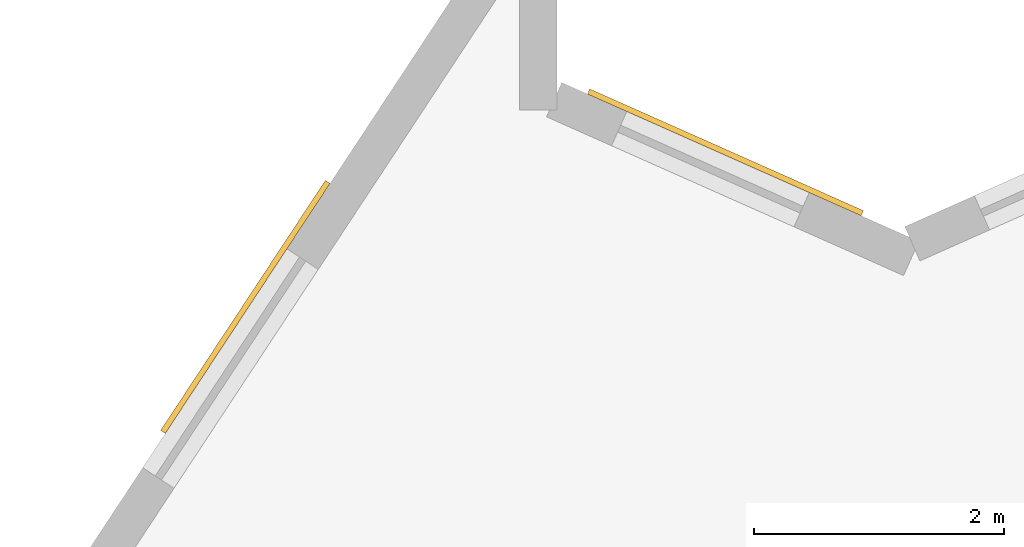
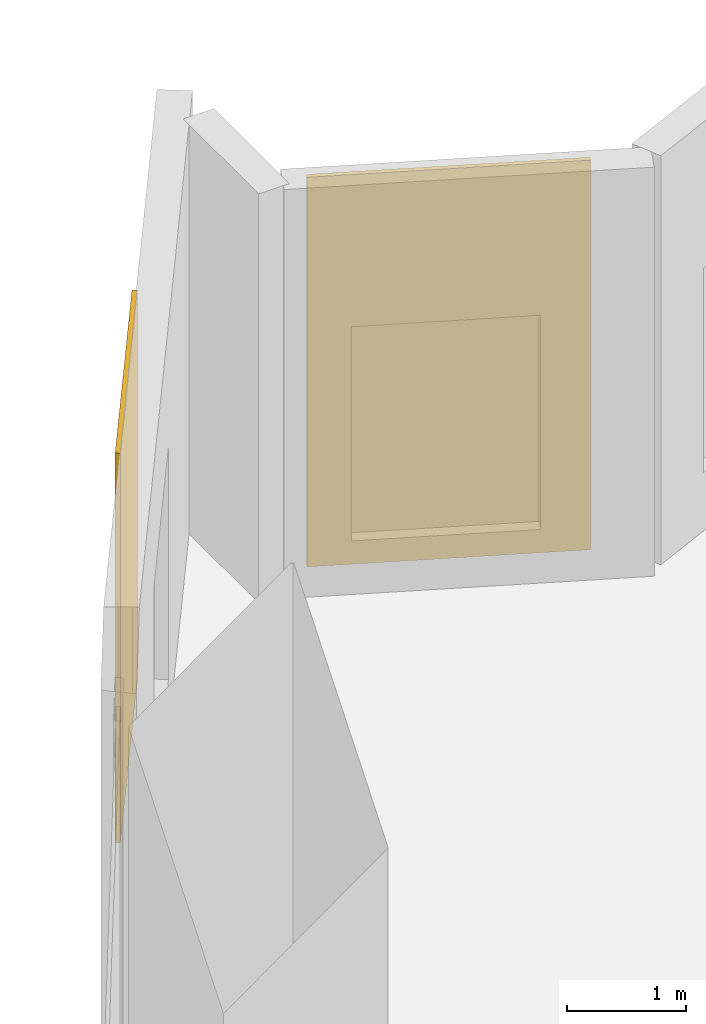
# One storey, part 11 of 11: 2 coverings.
"""IFC4 building model written with IfcOpenShell, lengths in metres."""

import ifcopenshell
import ifcopenshell.guid

model = None  # the IFC model being written
_history = None  # IfcOwnerHistory: only IFC2X3 demands one
_inside = {}  # id of a spatial element -> (the spatial element, [elements in it])
_under = {}  # id of a project, library or spatial element -> (it, [spatial elements below it])
_declared = {}  # id of a project -> (the project, [libraries it declares])
_typed = {}  # id of a type object -> (the type object, [elements of that type])
_made_of = {}  # id of a material, layer set ... -> (it, [elements and type objects made of it])


def new_model(schema):
    """Start an empty IFC model of exactly this schema.

    Asked for "IFC4X3", IfcOpenShell would pick the latest addendum, in which some entities
    have other attributes; the version numbers below select the first issue.
    IFC2X3 requires an IfcOwnerHistory on every rooted entity: one is made here for all.
    """
    global model, _history
    if schema == "IFC4X3":
        model = ifcopenshell.file(schema_version=(4, 3, 0, 0))
    else:
        model = ifcopenshell.file(schema=schema)
    _inside.clear()
    _under.clear()
    _declared.clear()
    _typed.clear()
    _made_of.clear()
    _history = None
    if model.schema == "IFC2X3":
        org = make("IfcOrganization", Name="unknown")
        user = make(
            "IfcPersonAndOrganization",
            ThePerson=make("IfcPerson", FamilyName="unknown"),
            TheOrganization=org,
        )
        app = make(
            "IfcApplication",
            ApplicationDeveloper=org,
            Version="unknown",
            ApplicationFullName="unknown",
            ApplicationIdentifier="unknown",
        )
        _history = make(
            "IfcOwnerHistory",
            OwningUser=user,
            OwningApplication=app,
            ChangeAction="ADDED",
            CreationDate=0,
        )
    return model


def make(cls, **values):
    """One entity of the class cls with the attributes given. An attribute that is None is left unset."""
    return model.create_entity(
        cls, **{name: value for name, value in values.items() if value is not None}
    )


def rooted(cls, **values):
    """An entity with a GlobalId (a new one), such as an element, a storey or a relation."""
    return make(cls, GlobalId=ifcopenshell.guid.new(), OwnerHistory=_history, **values)


def si_unit(unit_type, name, prefix=None):
    """IfcSIUnit, for example si_unit("LENGTHUNIT", "METRE", prefix="MILLI")."""
    return make("IfcSIUnit", UnitType=unit_type, Prefix=prefix, Name=name)


def assignment(units):
    """IfcUnitAssignment: the units of a project."""
    return None if units is None else make("IfcUnitAssignment", Units=units)


def point(xyz):
    """IfcCartesianPoint."""
    return None if xyz is None else make("IfcCartesianPoint", Coordinates=xyz)


def direction(xyz):
    """IfcDirection."""
    return None if xyz is None else make("IfcDirection", DirectionRatios=xyz)


def frame(location, z_axis=None, x_axis=None):
    """IfcAxis2Placement3D, a coordinate frame: its origin and axes. An axis left out is left unset."""
    return make(
        "IfcAxis2Placement3D",
        Location=point(location),
        Axis=direction(z_axis),
        RefDirection=direction(x_axis),
    )


def frame_2d(location, x_axis=None):
    """IfcAxis2Placement2D, a coordinate frame in the plane: its origin and x axis."""
    return make(
        "IfcAxis2Placement2D", Location=point(location), RefDirection=direction(x_axis)
    )


def origin():
    """The frame at (0, 0, 0) with its axes left unset."""
    return frame((0.0, 0.0, 0.0))


def origin_2d():
    """The frame at (0, 0) in the plane with its x axis left unset."""
    return frame_2d((0.0, 0.0))


def place(relative_to, where):
    """IfcLocalPlacement: puts the frame where relative to a parent placement (None: the world)."""
    return make(
        "IfcLocalPlacement", PlacementRelTo=relative_to, RelativePlacement=where
    )


def context(
    kind, dimensions, precision=None, world=None, true_north=None, identifier=None
):
    """IfcGeometricRepresentationContext, for example the 3D "Model" context."""
    return make(
        "IfcGeometricRepresentationContext",
        ContextIdentifier=identifier,
        ContextType=kind,
        CoordinateSpaceDimension=dimensions,
        Precision=precision,
        WorldCoordinateSystem=world,
        TrueNorth=true_north,
    )


def subcontext(parent, identifier, kind, view, scale=None):
    """IfcGeometricRepresentationSubContext, for example "Body" below "Model"."""
    return make(
        "IfcGeometricRepresentationSubContext",
        ContextIdentifier=identifier,
        ContextType=kind,
        ParentContext=parent,
        TargetScale=scale,
        TargetView=view,
    )


def project(units=None, contexts=None):
    """IfcProject with its units and contexts."""
    return rooted(
        "IfcProject",
        Name="project",
        RepresentationContexts=contexts,
        UnitsInContext=assignment(units),
    )


def spatial(cls, under=None, at=None, **own):
    """A site, building, storey or space (cls), placed at a placement, below another one or the project."""
    s = rooted(cls, ObjectPlacement=at, **own)
    if under is not None:
        _under.setdefault(under.id(), (under, []))[1].append(s)
    return s


def profile(cls, at=None, kind="AREA", **sizes):
    """A parametric profile (cls). Its sizes go by their IFC names, for example OverallWidth=200.0."""
    return make(cls, ProfileType=kind, Position=at, **sizes)


def rectangle(**sizes):
    """IfcRectangleProfileDef."""
    return profile("IfcRectangleProfileDef", **sizes)


def extrude(swept, where, along, depth):
    """IfcExtrudedAreaSolid: the profile swept, set in the frame where, extruded along a direction by depth."""
    return make(
        "IfcExtrudedAreaSolid",
        SweptArea=swept,
        Position=where,
        ExtrudedDirection=direction(along),
        Depth=depth,
    )


def shape(context_of_items, identifier, shape_type, items):
    """IfcShapeRepresentation: the items that make up one representation, for example the "Body"."""
    return make(
        "IfcShapeRepresentation",
        ContextOfItems=context_of_items,
        RepresentationIdentifier=identifier,
        RepresentationType=shape_type,
        Items=items,
    )


def material(Name=None, Category=None):
    """IfcMaterial."""
    return make("IfcMaterial", Name=Name, Category=Category)


def layer(
    of_material, thickness, ventilated=None, Name=None, Category=None, Priority=None
):
    """IfcMaterialLayer: one layer of a wall or slab, of a material (None: an air gap)."""
    return make(
        "IfcMaterialLayer",
        Material=of_material,
        LayerThickness=thickness,
        IsVentilated=ventilated,
        Name=Name,
        Category=Category,
        Priority=Priority,
    )


def layer_set(layers, Name=None):
    """IfcMaterialLayerSet."""
    return make("IfcMaterialLayerSet", MaterialLayers=layers, LayerSetName=Name)


def made_of(thing, what):
    """Note that an element or type object is made of a material, layer set ...; save() writes the relation."""
    if what is not None:
        _made_of.setdefault(what.id(), (what, []))[1].append(thing)
    return thing


def type_object(cls, material=None, **own):
    """A type object (cls), such as IfcWallType, which elements share."""
    return made_of(rooted(cls, **own), material)


def element(
    cls,
    number,
    at=None,
    inside=None,
    cuts=None,
    type_object=None,
    material=None,
    context=None,
    identifier="Body",
    shape_type=None,
    held_by="IfcProductDefinitionShape",
    body=None,
    shapes=None,
    **own,
):
    """One element of the class cls, such as IfcWall. Its Tag is "e" and its number.

    at: its placement. inside: the storey or other place that contains it. cuts: it is an
    opening in that element (IfcRelVoidsElement). A single representation is given by context,
    identifier, shape_type and body (its items); several are given by shapes. held_by: the class
    of the entity that holds the representations. save() writes the other relations.
    """
    e = rooted(cls, Tag="e%d" % number, ObjectPlacement=at, **own)
    if body is not None:
        shapes = [shape(context, identifier, shape_type, body)]
    if shapes is not None:
        e.Representation = make(held_by, Representations=shapes)
    if inside is not None:
        _inside.setdefault(inside.id(), (inside, []))[1].append(e)
    if cuts is not None:
        rooted(
            "IfcRelVoidsElement", RelatingBuildingElement=cuts, RelatedOpeningElement=e
        )
    if type_object is not None:
        _typed.setdefault(type_object.id(), (type_object, []))[1].append(e)
    return made_of(e, material)


def aggregate(whole, parts):
    """IfcRelAggregates: a whole, such as a stair, and the parts it consists of."""
    return rooted("IfcRelAggregates", RelatingObject=whole, RelatedObjects=parts)


def save(model, path):
    """Write the relations noted so far, then the file.

    IfcRelAggregates (storeys below a building ...), IfcRelContainedInSpatialStructure (elements
    in a storey), IfcRelDefinesByType, IfcRelAssociatesMaterial and IfcRelDeclares: one each for
    every whole, place, type object, material and project.
    """
    for whole, parts in _under.values():
        aggregate(whole, parts)
    for where, things in _inside.values():
        rooted(
            "IfcRelContainedInSpatialStructure",
            RelatedElements=things,
            RelatingStructure=where,
        )
    for kind, things in _typed.values():
        rooted("IfcRelDefinesByType", RelatedObjects=things, RelatingType=kind)
    for what, things in _made_of.values():
        rooted("IfcRelAssociatesMaterial", RelatedObjects=things, RelatingMaterial=what)
    for by, libraries in _declared.values():
        rooted("IfcRelDeclares", RelatingContext=by, RelatedDefinitions=libraries)
    model.write(path)


model = new_model("IFC4")

# Units and contexts
model_context = context("Model", 3, precision=1e-05, world=origin(), true_north=direction((0.0, 1.0)))
body_context = subcontext(model_context, "Body", "Model", "MODEL_VIEW")
ifc_project = project(units=[si_unit("LENGTHUNIT", "METRE"), si_unit("AREAUNIT", "SQUARE_METRE"), si_unit("VOLUMEUNIT", "CUBIC_METRE"), si_unit("PLANEANGLEUNIT", "RADIAN"), si_unit("MASSUNIT", "GRAM", prefix="KILO")], contexts=[model_context])

# Site, building, storey
site_placement = place(None, origin())
site = spatial("IfcSite", under=ifc_project, at=site_placement, CompositionType="ELEMENT")
building_placement = place(site_placement, origin())
building = spatial("IfcBuilding", under=site, at=building_placement, Name="Almagre Mirador Tower", CompositionType="ELEMENT")
storey_placement = place(building_placement, frame((0.0, 0.0, 21.89990234375)))
storey = spatial("IfcBuildingStorey", under=building, at=storey_placement, Name="L04", CompositionType="ELEMENT", Elevation=21.89990234375)

# Coverings
ifc_material = material(Name="Almagre terracotta architectural cladding", Category="masonry")
ifc_layer = layer(ifc_material, 0.044921875)
ifc_layer_set = layer_set([ifc_layer], Name="Almagre terracotta architectural cladding")
covering_type = type_object("IfcCoveringType", Name="COV-CLAD-ALMAGRE", PredefinedType="CLADDING", material=ifc_layer_set)
for number, where, z_axis, x_axis, name in (
    (1, (30.792724609375, 45.810791015625, 0.10009765625), (0.0, 0.0, 1.0), (0.550203863787, 0.835030363684, 0.0), "L04 almagre terracotta pier cladding"),
    (2, (34.6396484375, 47.049560546875, 0.10009765625), (0.0, 0.0, 1.0), (0.913751208531, -0.406274204089, 0.0), "L04 almagre terracotta pier cladding"),
):
    element("IfcCovering", number, at=place(storey_placement, frame(where, z_axis=z_axis, x_axis=x_axis)), inside=storey, type_object=covering_type, Name=name, PredefinedType="CLADDING", context=body_context, shape_type="SweptSolid", body=[
        extrude(rectangle(XDim=2.39990234375, YDim=0.044921875, at=origin_2d()), origin(), (0.0, 0.0, 1.0), 4.0),
    ])

save(model, "model.ifc")
